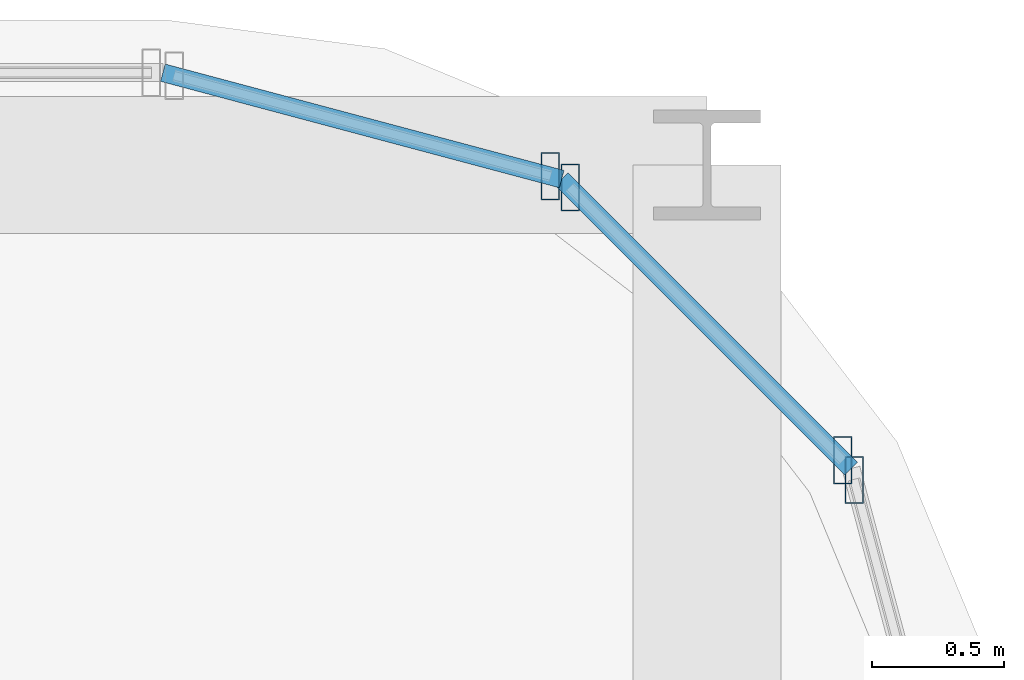
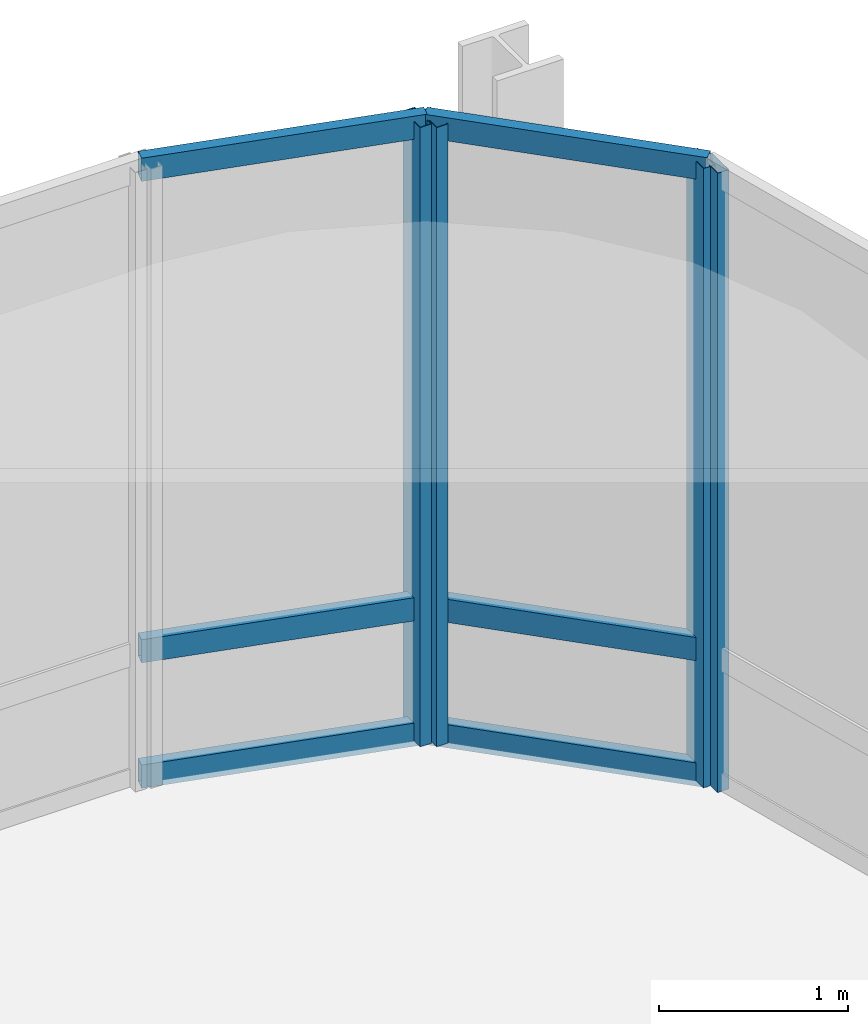
# One storey, part 31 of 42: 10 members, 3 elements without a shape of their own.
"""IFC4 building model written with IfcOpenShell, lengths in metres."""

from ifc_helpers import new_model, si_unit, direction, frame, origin, origin_2d, place, context, subcontext, project, spatial, hollow_rectangle, extrude, material, material_profile, profile_set, type_object, element, aggregate, save


model = new_model("IFC4")

# Units and contexts
model_context = context("Model", 3, precision=1e-05, world=origin(), true_north=direction((0.0, 1.0)))
body_context = subcontext(model_context, "Body", "Model", "MODEL_VIEW")
ifc_project = project(units=[si_unit("LENGTHUNIT", "METRE"), si_unit("AREAUNIT", "SQUARE_METRE"), si_unit("VOLUMEUNIT", "CUBIC_METRE"), si_unit("PLANEANGLEUNIT", "RADIAN"), si_unit("MASSUNIT", "GRAM", prefix="KILO")], contexts=[model_context])

# Site, building, storey
site_placement = place(None, origin())
site = spatial("IfcSite", under=ifc_project, at=site_placement, CompositionType="ELEMENT")
building_placement = place(site_placement, origin())
building = spatial("IfcBuilding", under=site, at=building_placement, Name="Punatoya Terracotta Tower", CompositionType="ELEMENT")
storey_placement = place(building_placement, frame((0.0, 0.0, 304.800048828125)))
storey = spatial("IfcBuildingStorey", under=building, at=storey_placement, Name="L72", CompositionType="ELEMENT", Elevation=304.800048828125)

# Curtain wall, member
ifc_material_1 = material(Name="Aluminium 6063-T6 + Double Low-E Glass", Category="aluminium")
curtain_wall_type = type_object("IfcCurtainWallType", Name="CW-M3", PredefinedType="NOTDEFINED", material=ifc_material_1)
curtain_wall_1_placement = place(storey_placement, origin())
curtain_wall_1 = element("IfcCurtainWall", 1, at=curtain_wall_1_placement, inside=storey, type_object=curtain_wall_type, Name="L72 Curtain Wall CW-L72-CRN06", PredefinedType="NOTDEFINED")
ifc_material_2 = material(Name="Aluminium 6063-T6", Category="aluminium")
ifc_material_profile_1 = material_profile(ifc_material_2, hollow_rectangle(XDim=0.070068359375, YDim=0.179931640625, WallThickness=0.00390625, at=origin_2d()))
ifc_profile_set_1 = profile_set([ifc_material_profile_1], Name="Aluminium 6063-T6")
member_type_1 = type_object("IfcMemberType", Name="CW-MUL-M3", PredefinedType="MULLION", material=ifc_profile_set_1)
member_1_placement = place(storey_placement, frame((19.658203125, 21.70556640625, 0.0), z_axis=(0.0, 0.0, 1.0), x_axis=(1.0, 0.0, 0.0)))
member_1 = element("IfcMember", 2, at=member_1_placement, type_object=member_type_1, Name="CW-L72-CRN06 Mullion 01", PredefinedType="MULLION", context=body_context, shape_type="SweptSolid", body=[
    extrude(hollow_rectangle(XDim=0.070068359375, YDim=0.179931640625, WallThickness=0.00390625, at=origin_2d()), origin(), (0.0, 0.0, 1.0), 4.0),
])
aggregate(curtain_wall_1, [member_1])

# Curtain wall, members
curtain_wall_2_placement = place(storey_placement, origin())
curtain_wall_2 = element("IfcCurtainWall", 3, at=curtain_wall_2_placement, inside=storey, type_object=curtain_wall_type, Name="L72 Curtain Wall CW-L72-CRN07", PredefinedType="NOTDEFINED")
member_2_placement = place(storey_placement, frame((19.61474609375, 21.781005859375, 0.0), z_axis=(0.0, 0.0, 1.0), x_axis=(1.0, 0.0, 0.0)))
member_2 = element("IfcMember", 4, at=member_2_placement, type_object=member_type_1, Name="CW-L72-CRN07 Mullion 00", PredefinedType="MULLION", context=body_context, shape_type="SweptSolid", body=[
    extrude(hollow_rectangle(XDim=0.070068359375, YDim=0.179931640625, WallThickness=0.00390625, at=origin_2d()), origin(), (0.0, 0.0, 1.0), 4.0),
])
member_3_placement = place(storey_placement, frame((18.580810546875, 22.814697265625, 0.0), z_axis=(0.0, 0.0, 1.0), x_axis=(1.0, 0.0, 0.0)))
member_3 = element("IfcMember", 5, at=member_3_placement, type_object=member_type_1, Name="CW-L72-CRN07 Mullion 01", PredefinedType="MULLION", context=body_context, shape_type="SweptSolid", body=[
    extrude(hollow_rectangle(XDim=0.070068359375, YDim=0.179931640625, WallThickness=0.00390625, at=origin_2d()), origin(), (0.0, 0.0, 1.0), 4.0),
])

# Curtain wall, member
curtain_wall_3_placement = place(storey_placement, origin())
curtain_wall_3 = element("IfcCurtainWall", 6, at=curtain_wall_3_placement, inside=storey, type_object=curtain_wall_type, Name="L72 Curtain Wall CW-L72-CRN08", PredefinedType="NOTDEFINED")
member_4_placement = place(storey_placement, frame((18.505615234375, 22.858154296875, 0.0), z_axis=(0.0, 0.0, 1.0), x_axis=(1.0, 0.0, 0.0)))
member_4 = element("IfcMember", 7, at=member_4_placement, type_object=member_type_1, Name="CW-L72-CRN08 Mullion 00", PredefinedType="MULLION", context=body_context, shape_type="SweptSolid", body=[
    extrude(hollow_rectangle(XDim=0.070068359375, YDim=0.179931640625, WallThickness=0.00390625, at=origin_2d()), origin(), (0.0, 0.0, 1.0), 4.0),
])

# Member
ifc_material_profile_2 = material_profile(ifc_material_2, hollow_rectangle(XDim=0.068115234375, YDim=0.14990234375, WallThickness=0.00390625, at=origin_2d()))
ifc_profile_set_2 = profile_set([ifc_material_profile_2], Name="Aluminium 6063-T6")
member_type_2 = type_object("IfcMemberType", Name="CW-TRN-TYP", PredefinedType="USERDEFINED", material=ifc_profile_set_2)
member_5_placement = place(storey_placement, frame((19.646484375, 21.7490234375, 0.0400390625), z_axis=(-0.707028130747, 0.707185422879, 0.0), x_axis=(-0.707185422879, -0.707028130747, 0.0)))
member_5 = element("IfcMember", 8, at=member_5_placement, type_object=member_type_2, Name="CW-L72-CRN07 Transom 1", ObjectType="TRANSOM", PredefinedType="USERDEFINED", context=body_context, shape_type="SweptSolid", body=[
    extrude(hollow_rectangle(XDim=0.068115234375, YDim=0.14990234375, WallThickness=0.00390625, at=origin_2d()), origin(), (0.0, 0.0, 1.0), 1.55224609375),
])

member_6_placement = place(storey_placement, frame((19.646484375, 21.7490234375, 0.849853515625), z_axis=(-0.707028130747, 0.707185422879, 0.0), x_axis=(-0.707185422879, -0.707028130747, 0.0)))
member_6 = element("IfcMember", 9, at=member_6_placement, type_object=member_type_2, Name="CW-L72-CRN07 Transom 2", ObjectType="TRANSOM", PredefinedType="USERDEFINED", context=body_context, shape_type="SweptSolid", body=[
    extrude(hollow_rectangle(XDim=0.068115234375, YDim=0.14990234375, WallThickness=0.00390625, at=origin_2d()), origin(), (0.0, 0.0, 1.0), 1.55224609375),
])

member_7_placement = place(storey_placement, frame((19.646484375, 21.7490234375, 3.9599609375), z_axis=(-0.707028130747, 0.707185422879, 0.0), x_axis=(-0.707185422879, -0.707028130747, 0.0)))
member_7 = element("IfcMember", 10, at=member_7_placement, type_object=member_type_2, Name="CW-L72-CRN07 Transom 3", ObjectType="TRANSOM", PredefinedType="USERDEFINED", context=body_context, shape_type="SweptSolid", body=[
    extrude(hollow_rectangle(XDim=0.068115234375, YDim=0.14990234375, WallThickness=0.00390625, at=origin_2d()), origin(), (0.0, 0.0, 1.0), 1.55224609375),
])

aggregate(curtain_wall_2, [member_2, member_3, member_5, member_6, member_7])

member_8_placement = place(storey_placement, frame((18.549072265625, 22.8466796875, 0.0400390625), z_axis=(-0.966224582397, 0.257701486942, 0.0), x_axis=(-0.257701486942, -0.966224582397, 0.0)))
member_8 = element("IfcMember", 11, at=member_8_placement, type_object=member_type_2, Name="CW-L72-CRN08 Transom 1", ObjectType="TRANSOM", PredefinedType="USERDEFINED", context=body_context, shape_type="SweptSolid", body=[
    extrude(hollow_rectangle(XDim=0.068115234375, YDim=0.14990234375, WallThickness=0.00390625, at=origin_2d()), origin(), (0.0, 0.0, 1.0), 1.565185546875),
])

member_9_placement = place(storey_placement, frame((18.549072265625, 22.8466796875, 0.849853515625), z_axis=(-0.966224582397, 0.257701486942, 0.0), x_axis=(-0.257701486942, -0.966224582397, 0.0)))
member_9 = element("IfcMember", 12, at=member_9_placement, type_object=member_type_2, Name="CW-L72-CRN08 Transom 2", ObjectType="TRANSOM", PredefinedType="USERDEFINED", context=body_context, shape_type="SweptSolid", body=[
    extrude(hollow_rectangle(XDim=0.068115234375, YDim=0.14990234375, WallThickness=0.00390625, at=origin_2d()), origin(), (0.0, 0.0, 1.0), 1.565185546875),
])

member_10_placement = place(storey_placement, frame((18.549072265625, 22.8466796875, 3.9599609375), z_axis=(-0.966224582397, 0.257701486942, 0.0), x_axis=(-0.257701486942, -0.966224582397, 0.0)))
member_10 = element("IfcMember", 13, at=member_10_placement, type_object=member_type_2, Name="CW-L72-CRN08 Transom 3", ObjectType="TRANSOM", PredefinedType="USERDEFINED", context=body_context, shape_type="SweptSolid", body=[
    extrude(hollow_rectangle(XDim=0.068115234375, YDim=0.14990234375, WallThickness=0.00390625, at=origin_2d()), origin(), (0.0, 0.0, 1.0), 1.565185546875),
])

aggregate(curtain_wall_3, [member_4, member_8, member_9, member_10])

save(model, "model.ifc")
